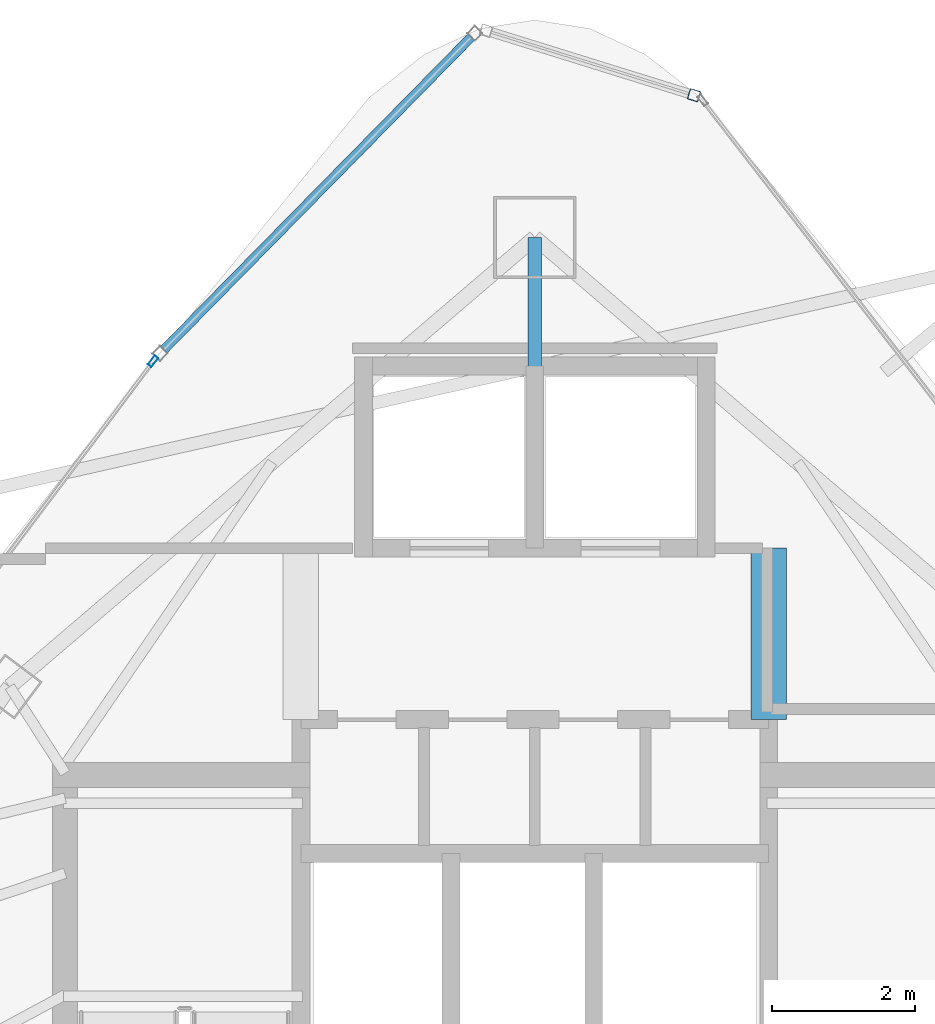
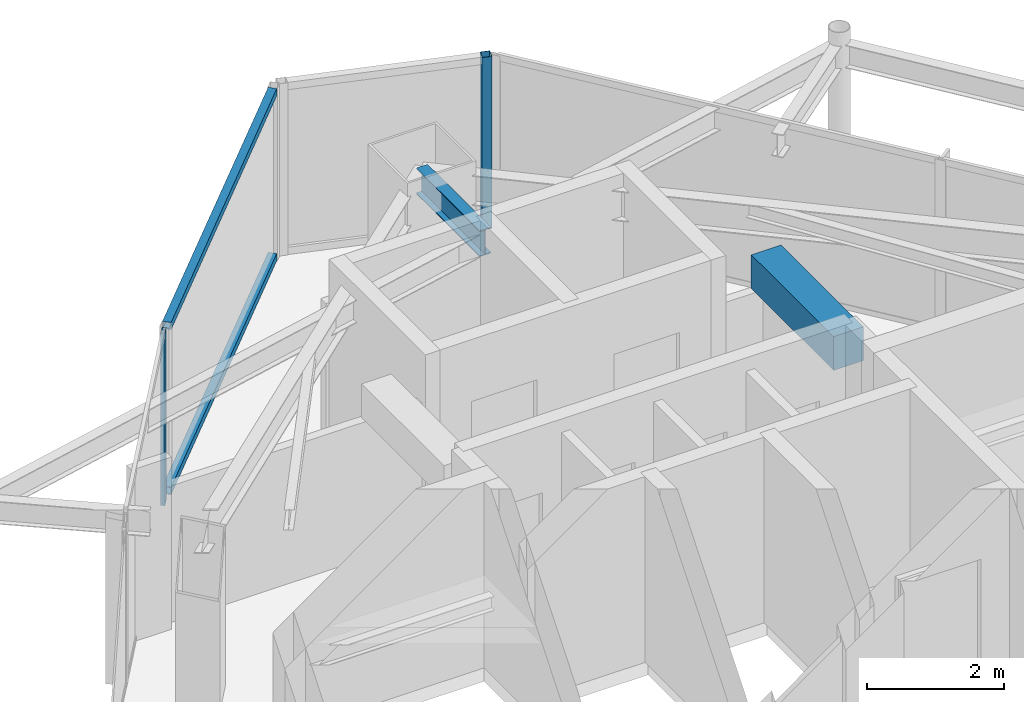
# One storey, part 22 of 30: 4 members, 2 beams, 3 elements without a shape of their own.
"""IFC4 building model written with IfcOpenShell, lengths in metres."""

from ifc_helpers import new_model, si_unit, direction, frame, origin, origin_2d, place, context, subcontext, project, spatial, rectangle, hollow_rectangle, i_section, extrude, material, layer, layer_set, material_profile, profile_set, type_object, element, aggregate, save


model = new_model("IFC4")

# Units and contexts
model_context = context("Model", 3, precision=1e-05, world=origin(), true_north=direction((0.0, 1.0)))
body_context = subcontext(model_context, "Body", "Model", "MODEL_VIEW")
ifc_project = project(units=[si_unit("LENGTHUNIT", "METRE"), si_unit("AREAUNIT", "SQUARE_METRE"), si_unit("VOLUMEUNIT", "CUBIC_METRE"), si_unit("PLANEANGLEUNIT", "RADIAN"), si_unit("MASSUNIT", "GRAM", prefix="KILO")], contexts=[model_context])

# Site, building, storey
site_placement = place(None, origin())
site = spatial("IfcSite", under=ifc_project, at=site_placement, CompositionType="ELEMENT")
building_placement = place(site_placement, origin())
building = spatial("IfcBuilding", under=site, at=building_placement, Name="Orvanel Arch Residences", CompositionType="ELEMENT")
storey_placement = place(building_placement, frame((0.0, 0.0, 270.050048828125)))
storey = spatial("IfcBuildingStorey", under=building, at=storey_placement, Name="L77", CompositionType="ELEMENT", Elevation=270.050048828125)

# Beams
ifc_material_1 = material(Name="Structural steel AS/NZS 3679.1 Grade 300 (300 MPa)", Category="steel")
ifc_material_profile_1 = material_profile(ifc_material_1, i_section(OverallWidth=0.19091796875, OverallDepth=0.4599609375, WebThickness=0.010009765625, FlangeThickness=0.01611328125, at=origin_2d()), Name="460UB82.1")
ifc_profile_set_1 = profile_set([ifc_material_profile_1], Name="Structural steel AS/NZS 3679.1 Grade 300 (300 MPa)")
beam_type_1 = type_object("IfcBeamType", Name="BG-460UB", PredefinedType="BEAM", material=ifc_profile_set_1)
beam_1_placement = place(storey_placement, frame((33.0, 39.550048828125, 2.829833984375), z_axis=(0.0, 1.0, 0.0), x_axis=(-1.0, 0.0, 0.0)))
element("IfcBeam", 1, at=beam_1_placement, inside=storey, type_object=beam_type_1, Name="L77 North Radial Girder", PredefinedType="BEAM", context=body_context, shape_type="SweptSolid", body=[
    extrude(i_section(OverallWidth=0.19091796875, OverallDepth=0.4599609375, WebThickness=0.010009765625, FlangeThickness=0.01611328125, at=origin_2d()), origin(), (0.0, 0.0, 1.0), 1.847900390625),
])
ifc_material_2 = material(Name="Concrete S65 (65 MPa)", Category="concrete")
ifc_material_profile_2 = material_profile(ifc_material_2, rectangle(XDim=0.5, YDim=0.60009765625, at=origin_2d()), Name="RC500x600")
ifc_profile_set_2 = profile_set([ifc_material_profile_2], Name="Concrete S65 (65 MPa)")
beam_type_2 = type_object("IfcBeamType", Name="CB-500x600", PredefinedType="LINTEL", material=ifc_profile_set_2)
beam_2_placement = place(storey_placement, frame((36.27490234375, 34.64990234375, 2.760009765625), z_axis=(0.0, 1.0, 0.0), x_axis=(-1.0, 0.0, 0.0)))
element("IfcBeam", 2, at=beam_2_placement, inside=storey, type_object=beam_type_2, Name="L77 East Core Lobby Coupling Lintel Beam", PredefinedType="LINTEL", context=body_context, shape_type="SweptSolid", body=[
    extrude(rectangle(XDim=0.5, YDim=0.60009765625, at=origin_2d()), origin(), (0.0, 0.0, 1.0), 2.400146484375),
])

# Curtain wall, member
ifc_material_3 = material(Name="Bronze-anodised aluminium AA6063-T6", Category="aluminium")
ifc_layer_1 = layer(ifc_material_3, 0.18994140625)
ifc_layer_set_1 = layer_set([ifc_layer_1], Name="Bronze-anodised aluminium AA6063-T6")
curtain_wall_type_1 = type_object("IfcCurtainWallType", Name="CW5-CRN-SYS", PredefinedType="NOTDEFINED", material=ifc_layer_set_1)
curtain_wall_1_placement = place(storey_placement, origin())
curtain_wall_1 = element("IfcCurtainWall", 3, at=curtain_wall_1_placement, inside=storey, type_object=curtain_wall_type_1, Name="L77 CW5-CRN-SYS Unitised Curtain Wall", PredefinedType="NOTDEFINED")
ifc_material_profile_3 = material_profile(ifc_material_3, hollow_rectangle(XDim=0.14990234375, YDim=0.14990234375, WallThickness=0.0048828125, at=origin_2d()), Name="ALU150x150x5")
ifc_profile_set_3 = profile_set([ifc_material_profile_3], Name="Bronze-anodised aluminium AA6063-T6")
member_type_1 = type_object("IfcMemberType", Name="MUL-150x150", PredefinedType="MULLION", material=ifc_profile_set_3)
member_1_placement = place(storey_placement, frame((35.228271484375, 43.391357421875, 0.0), z_axis=(0.0, 0.0, 1.0), x_axis=(-0.297028543105, -0.954868600689, 0.0)))
member_1 = element("IfcMember", 4, at=member_1_placement, type_object=member_type_1, Name="CW-S5 mullion 1", PredefinedType="MULLION", context=body_context, shape_type="SweptSolid", body=[
    extrude(hollow_rectangle(XDim=0.14990234375, YDim=0.14990234375, WallThickness=0.0048828125, at=origin_2d()), origin(), (0.0, 0.0, 1.0), 3.06005859375),
])
aggregate(curtain_wall_1, [member_1])

ifc_layer_2 = layer(ifc_material_3, 0.175048828125)
ifc_layer_set_2 = layer_set([ifc_layer_2], Name="Bronze-anodised aluminium AA6063-T6")
curtain_wall_type_2 = type_object("IfcCurtainWallType", Name="CW4-HI-SYS", PredefinedType="NOTDEFINED", material=ifc_layer_set_2)
curtain_wall_2_placement = place(storey_placement, origin())
curtain_wall_2 = element("IfcCurtainWall", 5, at=curtain_wall_2_placement, inside=storey, type_object=curtain_wall_type_2, Name="L77 CW4-HI-SYS Unitised Curtain Wall", PredefinedType="NOTDEFINED")
ifc_material_profile_4 = material_profile(ifc_material_3, hollow_rectangle(XDim=0.06494140625, YDim=0.159912109375, WallThickness=0.00390625, at=origin_2d()), Name="ALU160x65x4")
ifc_profile_set_4 = profile_set([ifc_material_profile_4], Name="Bronze-anodised aluminium AA6063-T6")
member_type_2 = type_object("IfcMemberType", Name="MUL-160x65", PredefinedType="MULLION", material=ifc_profile_set_4)
member_2_placement = place(storey_placement, frame((27.655517578125, 39.6669921875, 0.0), z_axis=(0.0, 0.0, 1.0), x_axis=(0.799615096912, -0.60051286147, 0.0)))
member_2 = element("IfcMember", 6, at=member_2_placement, type_object=member_type_2, Name="CW-S4 mullion 1", PredefinedType="MULLION", context=body_context, shape_type="SweptSolid", body=[
    extrude(hollow_rectangle(XDim=0.06494140625, YDim=0.159912109375, WallThickness=0.00390625, at=origin_2d()), origin(), (0.0, 0.0, 1.0), 3.06005859375),
])
aggregate(curtain_wall_2, [member_2])

# Curtain wall, members
curtain_wall_3_placement = place(storey_placement, origin())
curtain_wall_3 = element("IfcCurtainWall", 7, at=curtain_wall_3_placement, inside=storey, type_object=curtain_wall_type_1, Name="L77 CW5-CRN-SYS Unitised Curtain Wall", PredefinedType="NOTDEFINED")
ifc_material_profile_5 = material_profile(ifc_material_3, hollow_rectangle(XDim=0.1298828125, YDim=0.1298828125, WallThickness=0.00439453125, at=origin_2d()), Name="ALU130x130x4.5")
ifc_profile_set_5 = profile_set([ifc_material_profile_5], Name="Bronze-anodised aluminium AA6063-T6")
member_type_3 = type_object("IfcMemberType", Name="TRN-130x130", PredefinedType="USERDEFINED", material=ifc_profile_set_5)
member_3_placement = place(storey_placement, frame((32.10791015625, 44.2041015625, 0.06494140625), z_axis=(-0.701172658584, -0.712991516677, 0.0), x_axis=(0.712991516677, -0.701172658584, 0.0)))
member_3 = element("IfcMember", 8, at=member_3_placement, type_object=member_type_3, Name="CW-S5 transom 1.1", ObjectType="TRANSOM", PredefinedType="USERDEFINED", context=body_context, shape_type="SweptSolid", body=[
    extrude(hollow_rectangle(XDim=0.1298828125, YDim=0.1298828125, WallThickness=0.00439453125, at=origin_2d()), origin(), (0.0, 0.0, 1.0), 6.135009765625),
])
member_4_placement = place(storey_placement, frame((32.10791015625, 44.2041015625, 2.994873046875), z_axis=(-0.701172658584, -0.712991516677, 0.0), x_axis=(0.712991516677, -0.701172658584, 0.0)))
member_4 = element("IfcMember", 9, at=member_4_placement, type_object=member_type_3, Name="CW-S5 transom 1.2", ObjectType="TRANSOM", PredefinedType="USERDEFINED", context=body_context, shape_type="SweptSolid", body=[
    extrude(hollow_rectangle(XDim=0.1298828125, YDim=0.1298828125, WallThickness=0.00439453125, at=origin_2d()), origin(), (0.0, 0.0, 1.0), 6.135009765625),
])
aggregate(curtain_wall_3, [member_3, member_4])

save(model, "model.ifc")
